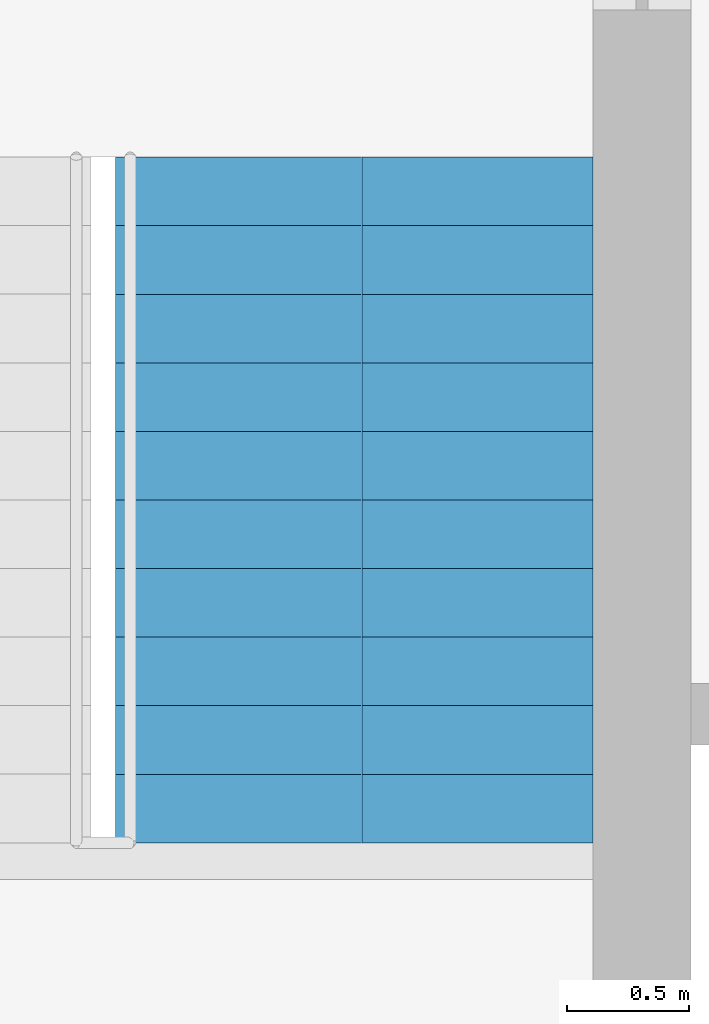
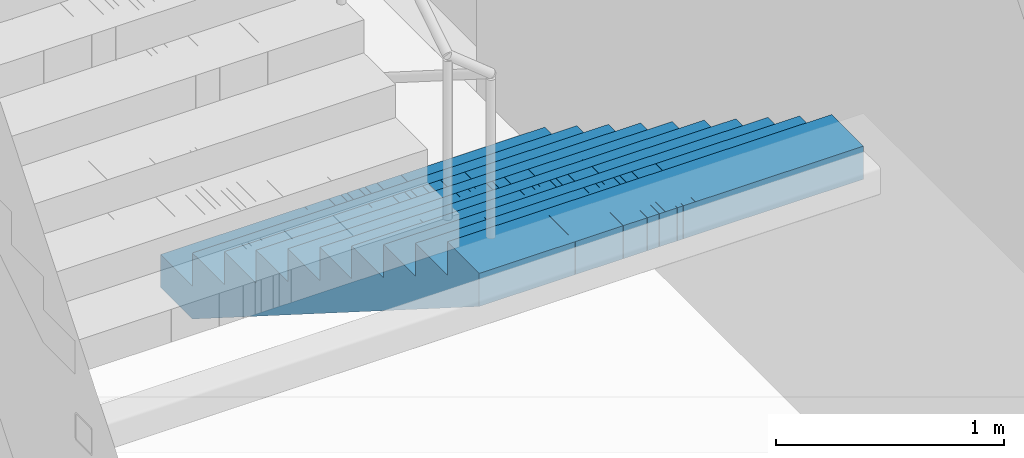
# One storey, part 15 of 16: 1 stair flight, 1 element without a shape of its own.
"""IFC4 building model written with IfcOpenShell, lengths in metres."""

from ifc_helpers import new_model, si_unit, direction, frame, origin, place, context, subcontext, project, spatial, polyline, outline, extrude, material, type_object, element, aggregate, save


model = new_model("IFC4")

# Units and contexts
model_context = context("Model", 3, precision=1e-05, world=origin(), true_north=direction((0.0, 1.0)))
body_context = subcontext(model_context, "Body", "Model", "MODEL_VIEW")
ifc_project = project(units=[si_unit("LENGTHUNIT", "METRE"), si_unit("AREAUNIT", "SQUARE_METRE"), si_unit("VOLUMEUNIT", "CUBIC_METRE"), si_unit("PLANEANGLEUNIT", "RADIAN"), si_unit("MASSUNIT", "GRAM", prefix="KILO")], contexts=[model_context])

# Site, building, storey
site_placement = place(None, origin())
site = spatial("IfcSite", under=ifc_project, at=site_placement, CompositionType="ELEMENT")
building_placement = place(site_placement, origin())
building = spatial("IfcBuilding", under=site, at=building_placement, Name="Mizan Broadcast Tower", CompositionType="ELEMENT")
storey_placement = place(building_placement, frame((0.0, 0.0, 294.60009765625)))
storey = spatial("IfcBuildingStorey", under=building, at=storey_placement, Name="L70", CompositionType="ELEMENT", Elevation=294.60009765625)

# Stair, stair flight
ifc_material_1 = material(Name="Concrete C40/50", Category="concrete")
stair_type = type_object("IfcStairType", Name="EXIT STAIR", PredefinedType="HALF_TURN_STAIR", material=ifc_material_1)
stair_placement = place(storey_placement, origin())
stair = element("IfcStair", 1, at=stair_placement, inside=storey, type_object=stair_type, Name="Stair B L70", PredefinedType="HALF_TURN_STAIR")
ifc_material_2 = material(Name="Concrete C40/50", Category="concrete")
stair_flight_type = type_object("IfcStairFlightType", Name="EXIT STAIR FLIGHT", PredefinedType="STRAIGHT", material=ifc_material_2)
stair_flight_placement = place(storey_placement, frame((1.02490234375, 7.89990234375, 0.0), z_axis=(0.0, 0.0, 1.0), x_axis=(0.0, -1.0, 0.0)))
stair_flight = element("IfcStairFlight", 2, at=stair_flight_placement, type_object=stair_flight_type, Name="B flight 1", NumberOfRisers=11, NumberOfTreads=10, PredefinedType="STRAIGHT", RiserHeight=0.177272727, TreadLength=0.28, context=body_context, shape_type="SweptSolid", body=[
    extrude(outline(polyline([(0.0, 0.0), (0.0, 0.17724609375), (0.280029296875, 0.17724609375), (0.280029296875, 0.3544921875), (0.56005859375, 0.3544921875), (0.56005859375, 0.53173828125), (0.840087890625, 0.53173828125), (0.840087890625, 0.708984375), (1.1201171875, 0.708984375), (1.1201171875, 0.886474609375), (1.39990234375, 0.886474609375), (1.39990234375, 1.063720703125), (1.679931640625, 1.063720703125), (1.679931640625, 1.240966796875), (1.9599609375, 1.240966796875), (1.9599609375, 1.418212890625), (2.239990234375, 1.418212890625), (2.239990234375, 1.595458984375), (2.52001953125, 1.595458984375), (2.52001953125, 1.772705078125), (2.800048828125, 1.772705078125), (2.800048828125, 1.949951171875), (2.800048828125, 1.59521484375), (0.2802734375, 0.0), (0.0, 0.0)])), frame((0.0, 0.97509765625, 0.0), z_axis=(0.0, -1.0, 0.0), x_axis=(1.0, 0.0, 0.0)), (0.0, 0.0, 1.0), 0.4873046875),
    extrude(outline(polyline([(0.0, 0.0), (0.0, 0.17724609375), (0.280029296875, 0.17724609375), (0.280029296875, 0.3544921875), (0.56005859375, 0.3544921875), (0.56005859375, 0.53173828125), (0.840087890625, 0.53173828125), (0.840087890625, 0.708984375), (1.1201171875, 0.708984375), (1.1201171875, 0.886474609375), (1.39990234375, 0.886474609375), (1.39990234375, 1.063720703125), (1.679931640625, 1.063720703125), (1.679931640625, 1.240966796875), (1.9599609375, 1.240966796875), (1.9599609375, 1.418212890625), (2.239990234375, 1.418212890625), (2.239990234375, 1.595458984375), (2.52001953125, 1.595458984375), (2.52001953125, 1.772705078125), (2.800048828125, 1.772705078125), (2.800048828125, 1.949951171875), (2.800048828125, 1.59521484375), (0.2802734375, 0.0), (0.0, 0.0)])), frame((0.0, 0.4873046875, 0.0), z_axis=(0.0, -1.0, 0.0), x_axis=(1.0, 0.0, 0.0)), (0.0, 0.0, 1.0), 0.2431640625),
    extrude(outline(polyline([(0.0, 0.0), (0.0, 0.17724609375), (0.280029296875, 0.17724609375), (0.280029296875, 0.3544921875), (0.56005859375, 0.3544921875), (0.56005859375, 0.53173828125), (0.840087890625, 0.53173828125), (0.840087890625, 0.708984375), (1.1201171875, 0.708984375), (1.1201171875, 0.886474609375), (1.39990234375, 0.886474609375), (1.39990234375, 1.063720703125), (1.679931640625, 1.063720703125), (1.679931640625, 1.240966796875), (1.9599609375, 1.240966796875), (1.9599609375, 1.418212890625), (2.239990234375, 1.418212890625), (2.239990234375, 1.595458984375), (2.52001953125, 1.595458984375), (2.52001953125, 1.772705078125), (2.800048828125, 1.772705078125), (2.800048828125, 1.949951171875), (2.800048828125, 1.59521484375), (0.2802734375, 0.0), (0.0, 0.0)])), frame((0.0, 0.24365234375, 0.0), z_axis=(0.0, -1.0, 0.0), x_axis=(1.0, 0.0, 0.0)), (0.0, 0.0, 1.0), 0.121337890625),
    extrude(outline(polyline([(0.0, 0.0), (0.0, 0.17724609375), (0.280029296875, 0.17724609375), (0.280029296875, 0.3544921875), (0.56005859375, 0.3544921875), (0.56005859375, 0.53173828125), (0.840087890625, 0.53173828125), (0.840087890625, 0.708984375), (1.1201171875, 0.708984375), (1.1201171875, 0.886474609375), (1.39990234375, 0.886474609375), (1.39990234375, 1.063720703125), (1.679931640625, 1.063720703125), (1.679931640625, 1.240966796875), (1.9599609375, 1.240966796875), (1.9599609375, 1.418212890625), (2.239990234375, 1.418212890625), (2.239990234375, 1.595458984375), (2.52001953125, 1.595458984375), (2.52001953125, 1.772705078125), (2.800048828125, 1.772705078125), (2.800048828125, 1.949951171875), (2.800048828125, 1.59521484375), (0.2802734375, 0.0), (0.0, 0.0)])), frame((0.0, 0.121826171875, 0.0), z_axis=(0.0, -1.0, 0.0), x_axis=(1.0, 0.0, 0.0)), (0.0, 0.0, 1.0), 0.060546875),
    extrude(outline(polyline([(0.0, 0.0), (0.0, 0.17724609375), (0.280029296875, 0.17724609375), (0.280029296875, 0.3544921875), (0.56005859375, 0.3544921875), (0.56005859375, 0.53173828125), (0.840087890625, 0.53173828125), (0.840087890625, 0.708984375), (1.1201171875, 0.708984375), (1.1201171875, 0.886474609375), (1.39990234375, 0.886474609375), (1.39990234375, 1.063720703125), (1.679931640625, 1.063720703125), (1.679931640625, 1.240966796875), (1.9599609375, 1.240966796875), (1.9599609375, 1.418212890625), (2.239990234375, 1.418212890625), (2.239990234375, 1.595458984375), (2.52001953125, 1.595458984375), (2.52001953125, 1.772705078125), (2.800048828125, 1.772705078125), (2.800048828125, 1.949951171875), (2.800048828125, 1.59521484375), (0.2802734375, 0.0), (0.0, 0.0)])), frame((0.0, 0.060791015625, 0.0), z_axis=(0.0, -1.0, 0.0), x_axis=(1.0, 0.0, 0.0)), (0.0, 0.0, 1.0), 0.030029296875),
    extrude(outline(polyline([(0.0, 0.0), (0.0, 0.17724609375), (0.280029296875, 0.17724609375), (0.280029296875, 0.3544921875), (0.56005859375, 0.3544921875), (0.56005859375, 0.53173828125), (0.840087890625, 0.53173828125), (0.840087890625, 0.708984375), (1.1201171875, 0.708984375), (1.1201171875, 0.886474609375), (1.39990234375, 0.886474609375), (1.39990234375, 1.063720703125), (1.679931640625, 1.063720703125), (1.679931640625, 1.240966796875), (1.9599609375, 1.240966796875), (1.9599609375, 1.418212890625), (2.239990234375, 1.418212890625), (2.239990234375, 1.595458984375), (2.52001953125, 1.595458984375), (2.52001953125, 1.772705078125), (2.800048828125, 1.772705078125), (2.800048828125, 1.949951171875), (2.800048828125, 1.59521484375), (0.2802734375, 0.0), (0.0, 0.0)])), frame((0.0, 0.0302734375, 0.0), z_axis=(0.0, -1.0, 0.0), x_axis=(1.0, 0.0, 0.0)), (0.0, 0.0, 1.0), 0.060302734375),
    extrude(outline(polyline([(0.0, 0.0), (0.0, 0.17724609375), (0.280029296875, 0.17724609375), (0.280029296875, 0.3544921875), (0.56005859375, 0.3544921875), (0.56005859375, 0.53173828125), (0.840087890625, 0.53173828125), (0.840087890625, 0.708984375), (1.1201171875, 0.708984375), (1.1201171875, 0.886474609375), (1.39990234375, 0.886474609375), (1.39990234375, 1.063720703125), (1.679931640625, 1.063720703125), (1.679931640625, 1.240966796875), (1.9599609375, 1.240966796875), (1.9599609375, 1.418212890625), (2.239990234375, 1.418212890625), (2.239990234375, 1.595458984375), (2.52001953125, 1.595458984375), (2.52001953125, 1.772705078125), (2.800048828125, 1.772705078125), (2.800048828125, 1.949951171875), (2.800048828125, 1.59521484375), (0.2802734375, 0.0), (0.0, 0.0)])), frame((0.0, -0.030517578125, 0.0), z_axis=(0.0, -1.0, 0.0), x_axis=(1.0, 0.0, 0.0)), (0.0, 0.0, 1.0), 0.030029296875),
    extrude(outline(polyline([(0.0, 0.0), (0.0, 0.17724609375), (0.280029296875, 0.17724609375), (0.280029296875, 0.3544921875), (0.56005859375, 0.3544921875), (0.56005859375, 0.53173828125), (0.840087890625, 0.53173828125), (0.840087890625, 0.708984375), (1.1201171875, 0.708984375), (1.1201171875, 0.886474609375), (1.39990234375, 0.886474609375), (1.39990234375, 1.063720703125), (1.679931640625, 1.063720703125), (1.679931640625, 1.240966796875), (1.9599609375, 1.240966796875), (1.9599609375, 1.418212890625), (2.239990234375, 1.418212890625), (2.239990234375, 1.595458984375), (2.52001953125, 1.595458984375), (2.52001953125, 1.772705078125), (2.800048828125, 1.772705078125), (2.800048828125, 1.949951171875), (2.800048828125, 1.59521484375), (0.2802734375, 0.0), (0.0, 0.0)])), frame((0.0, -0.06103515625, 0.0), z_axis=(0.0, -1.0, 0.0), x_axis=(1.0, 0.0, 0.0)), (0.0, 0.0, 1.0), 0.060546875),
    extrude(outline(polyline([(0.0, 0.0), (0.0, 0.17724609375), (0.280029296875, 0.17724609375), (0.280029296875, 0.3544921875), (0.56005859375, 0.3544921875), (0.56005859375, 0.53173828125), (0.840087890625, 0.53173828125), (0.840087890625, 0.708984375), (1.1201171875, 0.708984375), (1.1201171875, 0.886474609375), (1.39990234375, 0.886474609375), (1.39990234375, 1.063720703125), (1.679931640625, 1.063720703125), (1.679931640625, 1.240966796875), (1.9599609375, 1.240966796875), (1.9599609375, 1.418212890625), (2.239990234375, 1.418212890625), (2.239990234375, 1.595458984375), (2.52001953125, 1.595458984375), (2.52001953125, 1.772705078125), (2.800048828125, 1.772705078125), (2.800048828125, 1.949951171875), (2.800048828125, 1.59521484375), (0.2802734375, 0.0), (0.0, 0.0)])), frame((0.0, -0.1220703125, 0.0), z_axis=(0.0, -1.0, 0.0), x_axis=(1.0, 0.0, 0.0)), (0.0, 0.0, 1.0), 0.121337890625),
    extrude(outline(polyline([(0.0, 0.0), (0.0, 0.17724609375), (0.280029296875, 0.17724609375), (0.280029296875, 0.3544921875), (0.56005859375, 0.3544921875), (0.56005859375, 0.53173828125), (0.840087890625, 0.53173828125), (0.840087890625, 0.708984375), (1.1201171875, 0.708984375), (1.1201171875, 0.886474609375), (1.39990234375, 0.886474609375), (1.39990234375, 1.063720703125), (1.679931640625, 1.063720703125), (1.679931640625, 1.240966796875), (1.9599609375, 1.240966796875), (1.9599609375, 1.418212890625), (2.239990234375, 1.418212890625), (2.239990234375, 1.595458984375), (2.52001953125, 1.595458984375), (2.52001953125, 1.772705078125), (2.800048828125, 1.772705078125), (2.800048828125, 1.949951171875), (2.800048828125, 1.59521484375), (0.2802734375, 0.0), (0.0, 0.0)])), frame((0.0, -0.243896484375, 0.0), z_axis=(0.0, -1.0, 0.0), x_axis=(1.0, 0.0, 0.0)), (0.0, 0.0, 1.0), 0.2431640625),
    extrude(outline(polyline([(0.0, 0.0), (0.0, 0.17724609375), (0.280029296875, 0.17724609375), (0.280029296875, 0.3544921875), (0.56005859375, 0.3544921875), (0.56005859375, 0.53173828125), (0.840087890625, 0.53173828125), (0.840087890625, 0.708984375), (1.1201171875, 0.708984375), (1.1201171875, 0.886474609375), (1.39990234375, 0.886474609375), (1.39990234375, 1.063720703125), (1.679931640625, 1.063720703125), (1.679931640625, 1.240966796875), (1.9599609375, 1.240966796875), (1.9599609375, 1.418212890625), (2.239990234375, 1.418212890625), (2.239990234375, 1.595458984375), (2.52001953125, 1.595458984375), (2.52001953125, 1.772705078125), (2.800048828125, 1.772705078125), (2.800048828125, 1.949951171875), (2.800048828125, 1.59521484375), (0.2802734375, 0.0), (0.0, 0.0)])), frame((0.0, -0.487548828125, 0.0), z_axis=(0.0, -1.0, 0.0), x_axis=(1.0, 0.0, 0.0)), (0.0, 0.0, 1.0), 0.4873046875),
])
aggregate(stair, [stair_flight])

save(model, "model.ifc")
